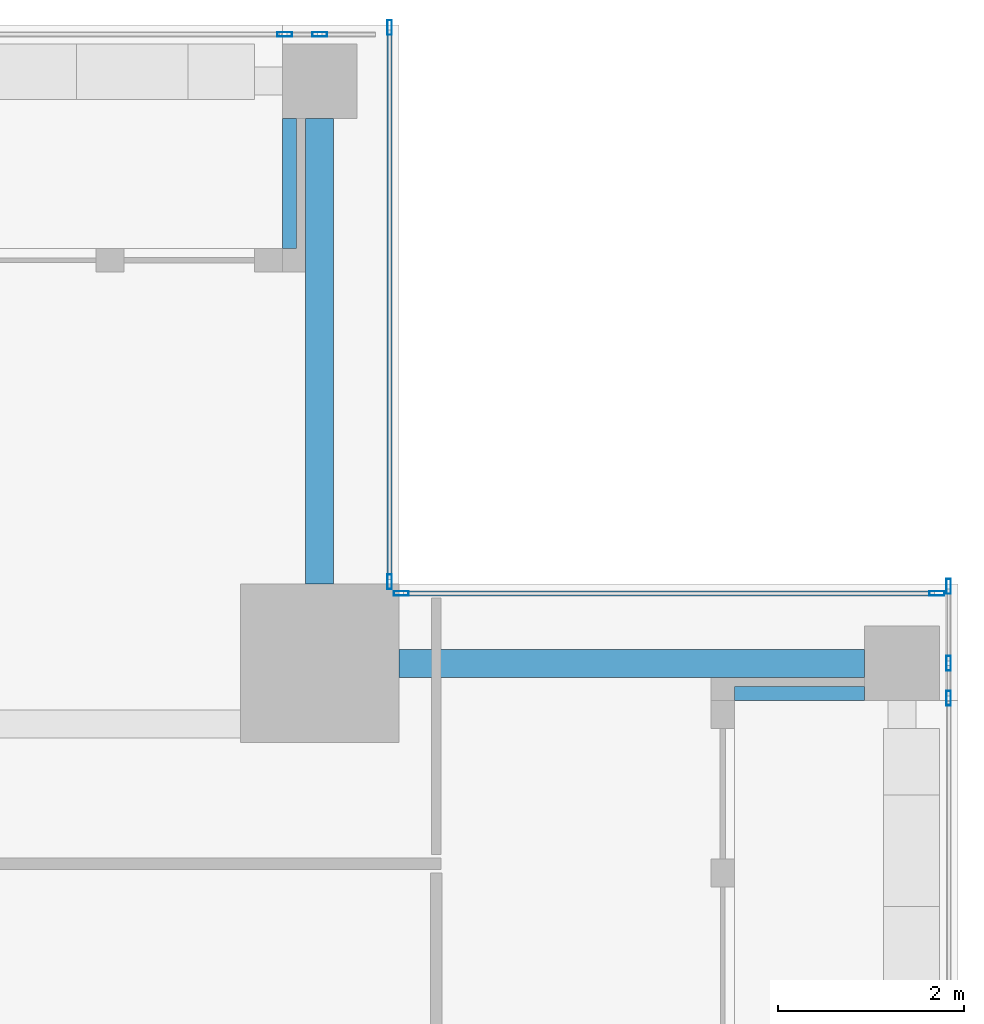
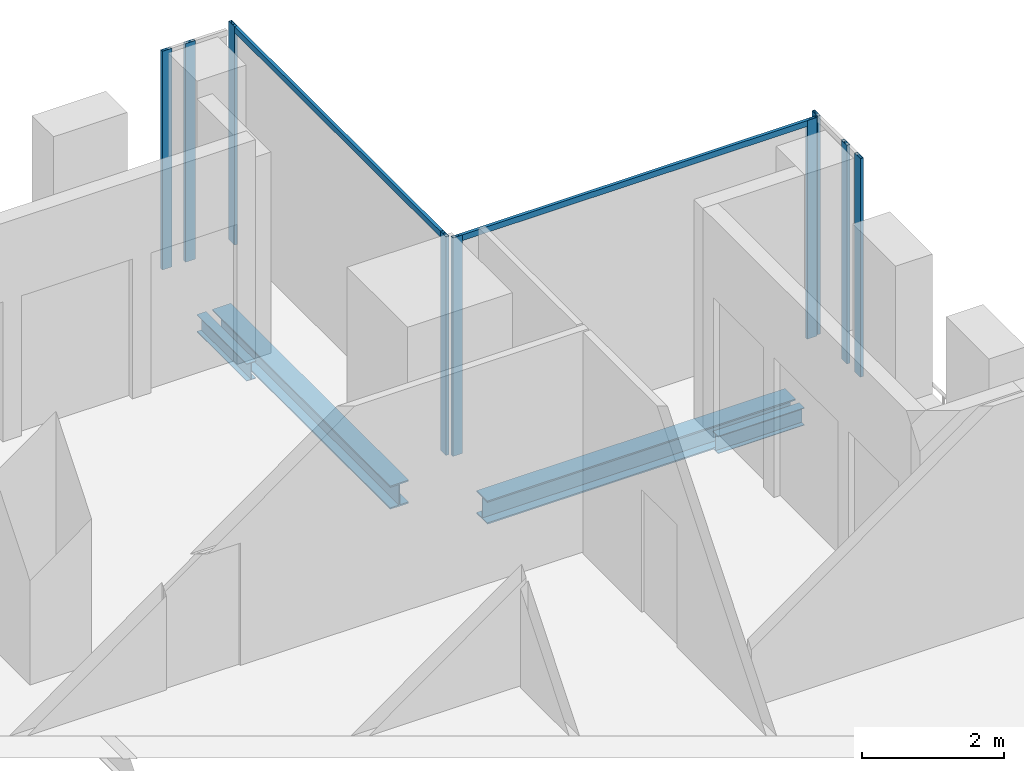
# One storey, part 18 of 29: 11 members, 4 beams, 4 elements without a shape of their own.
"""IFC4 building model written with IfcOpenShell, lengths in metres."""

from ifc_helpers import new_model, si_unit, direction, frame, origin, origin_2d, place, context, subcontext, project, spatial, hollow_rectangle, i_section, extrude, source, transform, mapped, material, material_profile, profile_set, type_object, element, aggregate, save


model = new_model("IFC4")

# Units and contexts
model_context = context("Model", 3, precision=1e-05, world=origin(), true_north=direction((0.0, 1.0)))
body_context = subcontext(model_context, "Body", "Model", "MODEL_VIEW")
ifc_project = project(units=[si_unit("LENGTHUNIT", "METRE"), si_unit("AREAUNIT", "SQUARE_METRE"), si_unit("VOLUMEUNIT", "CUBIC_METRE"), si_unit("PLANEANGLEUNIT", "RADIAN"), si_unit("MASSUNIT", "GRAM", prefix="KILO")], contexts=[model_context])

# Site, building, storey
site_placement = place(None, origin())
site = spatial("IfcSite", under=ifc_project, at=site_placement, CompositionType="ELEMENT")
building_placement = place(site_placement, origin())
building = spatial("IfcBuilding", under=site, at=building_placement, Name="Khomas Fold Tower", CompositionType="ELEMENT")
storey_placement = place(building_placement, frame((0.0, 0.0, 314.199951171875)))
storey = spatial("IfcBuildingStorey", under=building, at=storey_placement, Name="L71", CompositionType="ELEMENT", Elevation=314.199951171875)

# Beams
ifc_material_1 = material(Name="Steel S355", Category="steel")
ifc_material_profile_1 = material_profile(ifc_material_1, i_section(OverallWidth=0.300048828125, OverallDepth=0.39990234375, WebThickness=0.013427734375, FlangeThickness=0.02392578125, at=origin_2d()), Name="HE 400 B")
ifc_profile_set_1 = profile_set([ifc_material_profile_1], Name="Steel S355")
beam_type_1 = type_object("IfcBeamType", Name="HE 400 B spandrel SB5", PredefinedType="SPANDREL", material=ifc_profile_set_1)
shared_shape_1 = source(origin(), body_context, "Body", "SweptSolid", [
    extrude(i_section(OverallWidth=0.300048828125, OverallDepth=0.39990234375, WebThickness=0.013427734375, FlangeThickness=0.02392578125, at=origin_2d()), origin(), (0.0, 0.0, 1.0), 5.0),
])
for number, where, z_axis, x_axis, name in (
    (1, (42.0, 41.14990234375, -0.449951171875), (1.0, 0.0, 0.0), (0.0, 1.0, 0.0), "SB5"),
    (2, (41.14990234375, 42.0, -0.449951171875), (0.0, 1.0, 0.0), (-1.0, 0.0, 0.0), "SB5"),
):
    element("IfcBeam", number, at=place(storey_placement, frame(where, z_axis=z_axis, x_axis=x_axis)), inside=storey, type_object=beam_type_1, Name=name, PredefinedType="SPANDREL", context=body_context, shape_type="MappedRepresentation", body=[
        mapped(shared_shape_1, transform((0.0, 0.0, 0.0))),
    ])
ifc_material_2 = material(Name="Steel S355", Category="steel")
ifc_material_profile_2 = material_profile(ifc_material_2, i_section(OverallWidth=0.14990234375, OverallDepth=0.300048828125, WebThickness=0.007080078125, FlangeThickness=0.0107421875, at=origin_2d()), Name="IPE 300")
ifc_profile_set_2 = profile_set([ifc_material_profile_2], Name="Steel S355")
beam_type_2 = type_object("IfcBeamType", Name="IPE 300 beam BB2", PredefinedType="BEAM", material=ifc_profile_set_2)
shared_shape_2 = source(origin(), body_context, "Body", "SweptSolid", [
    extrude(i_section(OverallWidth=0.14990234375, OverallDepth=0.300048828125, WebThickness=0.007080078125, FlangeThickness=0.0107421875, at=origin_2d()), origin(), (0.0, 0.0, 1.0), 1.39990234375),
])
for number, where, z_axis, x_axis, name in (
    (3, (45.60009765625, 40.824951171875, -0.39990234375), (1.0, 0.0, 0.0), (0.0, 1.0, 0.0), "BB2"),
    (4, (40.824951171875, 45.60009765625, -0.39990234375), (0.0, 1.0, 0.0), (-1.0, 0.0, 0.0), "BB2"),
):
    element("IfcBeam", number, at=place(storey_placement, frame(where, z_axis=z_axis, x_axis=x_axis)), inside=storey, type_object=beam_type_2, Name=name, PredefinedType="BEAM", context=body_context, shape_type="MappedRepresentation", body=[
        mapped(shared_shape_2, transform((0.0, 0.0, 0.0))),
    ])

# Curtain wall, members
ifc_material_3 = material(Name="Aluminium framed double glazing", Category="aluminium")
curtain_wall_type = type_object("IfcCurtainWallType", Name="SK-Unitised clear-glass wall, upper floors CW3", PredefinedType="NOTDEFINED", material=ifc_material_3)
curtain_wall_1_placement = place(storey_placement, origin())
curtain_wall_1 = element("IfcCurtainWall", 5, at=curtain_wall_1_placement, inside=storey, type_object=curtain_wall_type, Name="CW3 run L71 03-1", PredefinedType="NOTDEFINED")
ifc_material_4 = material(Name="Aluminium", Category="aluminium")
ifc_material_profile_3 = material_profile(ifc_material_4, hollow_rectangle(XDim=0.050048828125, YDim=0.159912109375, WallThickness=0.00390625, at=origin_2d()), Name="SK-Unitised clear-glass wall, upper floors mullion CW3-M")
ifc_profile_set_3 = profile_set([ifc_material_profile_3], Name="Aluminium")
member_type_1 = type_object("IfcMemberType", Name="SK-Unitised clear-glass wall, upper floors mullion CW3-M", PredefinedType="MULLION", material=ifc_profile_set_3)
shared_shape_3 = source(origin(), body_context, "Body", "SweptSolid", [
    extrude(hollow_rectangle(XDim=0.050048828125, YDim=0.159912109375, WallThickness=0.00390625, at=origin_2d()), origin(), (0.0, 0.0, 1.0), 3.75),
])
member_1_placement = place(storey_placement, frame((47.89990234375, 40.77490234375, 0.0), z_axis=(0.0, 0.0, 1.0), x_axis=(-1.0, 0.0, 0.0)))
member_1 = element("IfcMember", 6, at=member_1_placement, type_object=member_type_1, Name="CW3 mullion 1", PredefinedType="MULLION", context=body_context, shape_type="MappedRepresentation", body=[
    mapped(shared_shape_3, transform((0.0, 0.0, 0.0))),
])
member_2_placement = place(storey_placement, frame((47.89990234375, 41.14990234375, 0.0), z_axis=(0.0, 0.0, 1.0), x_axis=(-1.0, 0.0, 0.0)))
member_2 = element("IfcMember", 7, at=member_2_placement, type_object=member_type_1, Name="CW3 mullion 2", PredefinedType="MULLION", context=body_context, shape_type="MappedRepresentation", body=[
    mapped(shared_shape_3, transform((0.0, 0.0, 0.0))),
])
member_3_placement = place(storey_placement, frame((47.89990234375, 41.97509765625, 0.0), z_axis=(0.0, 0.0, 1.0), x_axis=(-1.0, 0.0, 0.0)))
member_3 = element("IfcMember", 8, at=member_3_placement, type_object=member_type_1, Name="CW3 mullion 3", PredefinedType="MULLION", context=body_context, shape_type="MappedRepresentation", body=[
    mapped(shared_shape_3, transform((0.0, 0.0, 0.0))),
])
aggregate(curtain_wall_1, [member_1, member_2, member_3])

curtain_wall_2_placement = place(storey_placement, origin())
curtain_wall_2 = element("IfcCurtainWall", 9, at=curtain_wall_2_placement, inside=storey, type_object=curtain_wall_type, Name="CW3 corner return L71 04", PredefinedType="NOTDEFINED")
member_4_placement = place(storey_placement, frame((47.77490234375, 41.89990234375, 0.0), z_axis=(0.0, 0.0, 1.0), x_axis=(0.0, -1.0, 0.0)))
member_4 = element("IfcMember", 10, at=member_4_placement, type_object=member_type_1, Name="CW3 mullion 1", PredefinedType="MULLION", context=body_context, shape_type="MappedRepresentation", body=[
    mapped(shared_shape_3, transform((0.0, 0.0, 0.0))),
])
member_5_placement = place(storey_placement, frame((42.02490234375, 41.89990234375, 0.0), z_axis=(0.0, 0.0, 1.0), x_axis=(0.0, -1.0, 0.0)))
member_5 = element("IfcMember", 11, at=member_5_placement, type_object=member_type_1, Name="CW3 mullion 2", PredefinedType="MULLION", context=body_context, shape_type="MappedRepresentation", body=[
    mapped(shared_shape_3, transform((0.0, 0.0, 0.0))),
])

curtain_wall_3_placement = place(storey_placement, origin())
curtain_wall_3 = element("IfcCurtainWall", 12, at=curtain_wall_3_placement, inside=storey, type_object=curtain_wall_type, Name="CW3 corner return L71 05", PredefinedType="NOTDEFINED")
member_6_placement = place(storey_placement, frame((41.89990234375, 42.02490234375, 0.0), z_axis=(0.0, 0.0, 1.0), x_axis=(-1.0, 0.0, 0.0)))
member_6 = element("IfcMember", 13, at=member_6_placement, type_object=member_type_1, Name="CW3 mullion 1", PredefinedType="MULLION", context=body_context, shape_type="MappedRepresentation", body=[
    mapped(shared_shape_3, transform((0.0, 0.0, 0.0))),
])
member_7_placement = place(storey_placement, frame((41.89990234375, 47.97509765625, 0.0), z_axis=(0.0, 0.0, 1.0), x_axis=(-1.0, 0.0, 0.0)))
member_7 = element("IfcMember", 14, at=member_7_placement, type_object=member_type_1, Name="CW3 mullion 2", PredefinedType="MULLION", context=body_context, shape_type="MappedRepresentation", body=[
    mapped(shared_shape_3, transform((0.0, 0.0, 0.0))),
])

curtain_wall_4_placement = place(storey_placement, origin())
curtain_wall_4 = element("IfcCurtainWall", 15, at=curtain_wall_4_placement, inside=storey, type_object=curtain_wall_type, Name="CW3 run L71 06-0", PredefinedType="NOTDEFINED")
member_8_placement = place(storey_placement, frame((41.14990234375, 47.89990234375, 0.0), z_axis=(0.0, 0.0, 1.0), x_axis=(0.0, -1.0, 0.0)))
member_8 = element("IfcMember", 16, at=member_8_placement, type_object=member_type_1, Name="CW3 mullion 2", PredefinedType="MULLION", context=body_context, shape_type="MappedRepresentation", body=[
    mapped(shared_shape_3, transform((0.0, 0.0, 0.0))),
])
member_9_placement = place(storey_placement, frame((40.77490234375, 47.89990234375, 0.0), z_axis=(0.0, 0.0, 1.0), x_axis=(0.0, -1.0, 0.0)))
member_9 = element("IfcMember", 17, at=member_9_placement, type_object=member_type_1, Name="CW3 mullion 3", PredefinedType="MULLION", context=body_context, shape_type="MappedRepresentation", body=[
    mapped(shared_shape_3, transform((0.0, 0.0, 0.0))),
])
aggregate(curtain_wall_4, [member_8, member_9])

# Member
ifc_material_5 = material(Name="Aluminium", Category="aluminium")
ifc_material_profile_4 = material_profile(ifc_material_5, hollow_rectangle(XDim=0.050048828125, YDim=0.10009765625, WallThickness=0.00390625, at=origin_2d()), Name="SK-Unitised clear-glass wall, upper floors transom CW3-T")
ifc_profile_set_4 = profile_set([ifc_material_profile_4], Name="Aluminium")
member_type_2 = type_object("IfcMemberType", Name="SK-Unitised clear-glass wall, upper floors transom CW3-T", PredefinedType="USERDEFINED", material=ifc_profile_set_4)
shared_shape_4 = source(origin(), body_context, "Body", "SweptSolid", [
    extrude(hollow_rectangle(XDim=0.050048828125, YDim=0.10009765625, WallThickness=0.00390625, at=origin_2d()), origin(), (0.0, 0.0, 1.0), 5.699951171875),
])
member_10_placement = place(storey_placement, frame((47.75, 41.89990234375, 3.699951171875), z_axis=(-1.0, 0.0, 0.0), x_axis=(0.0, -1.0, 0.0)))
member_10 = element("IfcMember", 18, at=member_10_placement, type_object=member_type_2, Name="CW3 transom 1", ObjectType="TRANSOM", PredefinedType="USERDEFINED", context=body_context, shape_type="MappedRepresentation", body=[
    mapped(shared_shape_4, transform((0.0, 0.0, 0.0))),
])

aggregate(curtain_wall_2, [member_4, member_5, member_10])

shared_shape_5 = source(origin(), body_context, "Body", "SweptSolid", [
    extrude(hollow_rectangle(XDim=0.050048828125, YDim=0.10009765625, WallThickness=0.00390625, at=origin_2d()), origin(), (0.0, 0.0, 1.0), 5.89990234375),
])
member_11_placement = place(storey_placement, frame((41.89990234375, 42.050048828125, 3.699951171875), z_axis=(0.0, 1.0, 0.0), x_axis=(-1.0, 0.0, 0.0)))
member_11 = element("IfcMember", 19, at=member_11_placement, type_object=member_type_2, Name="CW3 transom 1", ObjectType="TRANSOM", PredefinedType="USERDEFINED", context=body_context, shape_type="MappedRepresentation", body=[
    mapped(shared_shape_5, transform((0.0, 0.0, 0.0))),
])

aggregate(curtain_wall_3, [member_6, member_7, member_11])

save(model, "model.ifc")
